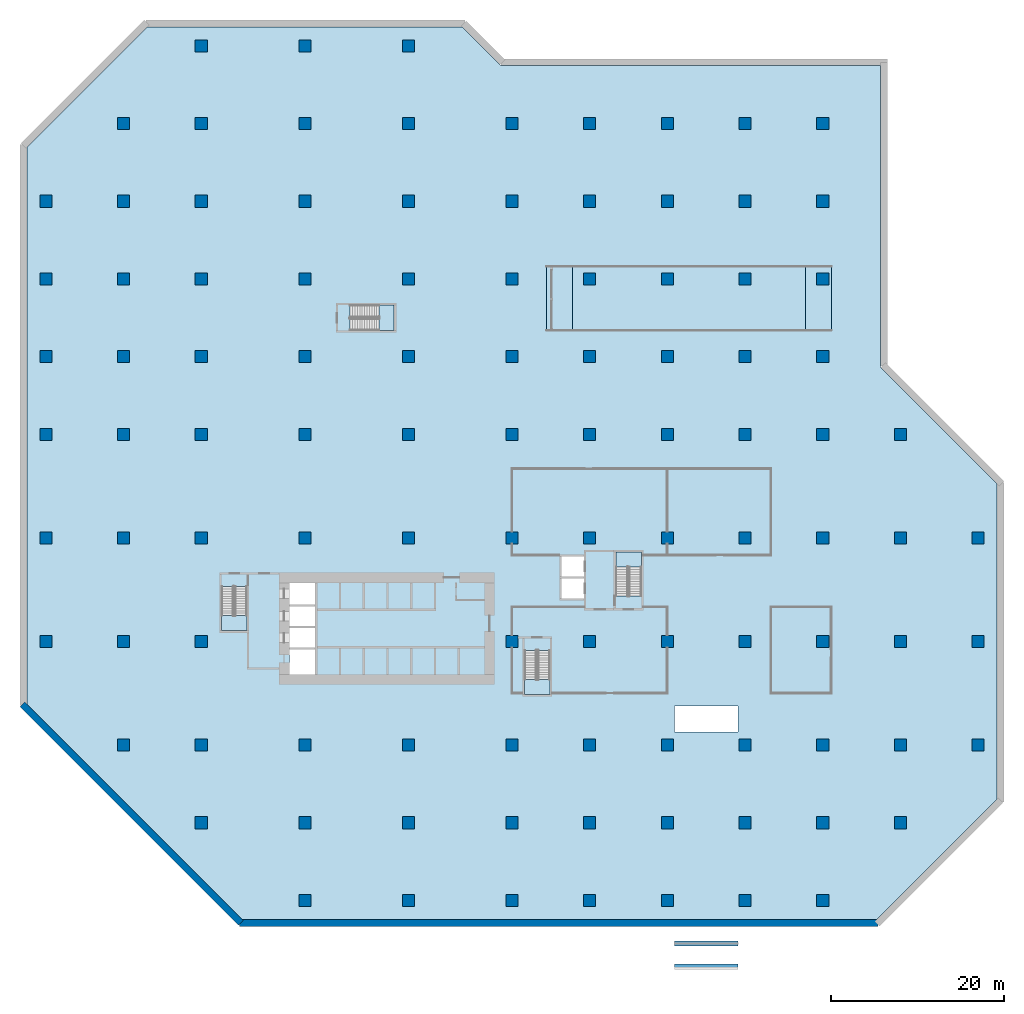
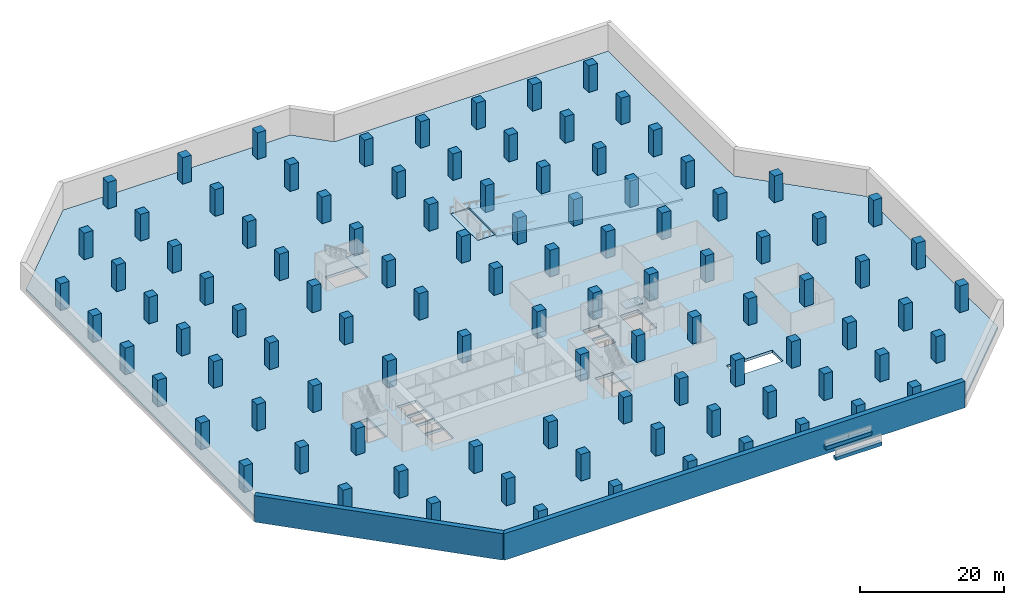
# One storey, part 1 of 9: 102 columns, 8 slabs, 2 footings, 2 walls, 4 elements without a shape of their own.
"""IFC4 building model written with IfcOpenShell, lengths in metres."""

from ifc_helpers import new_model, si_unit, direction, frame, frame_2d, origin, origin_2d, place, context, subcontext, project, spatial, polyline, rectangle, outline, extrude, material, layer, layer_set, material_profile, profile_set, type_object, element, aggregate, save


model = new_model("IFC4")

# Units and contexts
model_context = context("Model", 3, precision=1e-05, world=origin(), true_north=direction((0.0, 1.0)))
body_context = subcontext(model_context, "Body", "Model", "MODEL_VIEW")
ifc_project = project(units=[si_unit("LENGTHUNIT", "METRE"), si_unit("AREAUNIT", "SQUARE_METRE"), si_unit("VOLUMEUNIT", "CUBIC_METRE"), si_unit("PLANEANGLEUNIT", "RADIAN"), si_unit("MASSUNIT", "GRAM", prefix="KILO")], contexts=[model_context])

# Site, building, storey
site_placement = place(None, origin())
site = spatial("IfcSite", under=ifc_project, at=site_placement, CompositionType="ELEMENT")
building_placement = place(site_placement, origin())
building = spatial("IfcBuilding", under=site, at=building_placement, Name="Chenar Terraces", CompositionType="ELEMENT")
storey_placement = place(building_placement, frame((0.0, 0.0, -4.5)))
storey = spatial("IfcBuildingStorey", under=building, at=storey_placement, Name="B1", CompositionType="ELEMENT", Elevation=-4.5)

# Footings
ifc_material_1 = material(Name="Concrete C40/50 sulfate-resisting", Category="concrete")
ifc_layer_1 = layer(ifc_material_1, 0.60009765625)
ifc_layer_set_1 = layer_set([ifc_layer_1], Name="Concrete C40/50 sulfate-resisting")
footing_type = type_object("IfcFootingType", Name="Ramp strip footing 600 x 600", PredefinedType="STRIP_FOOTING", material=ifc_layer_set_1)
footing_1_placement = place(storey_placement, frame((0.0, 0.0, 2.300048828125)))
element("IfcFooting", 1, at=footing_1_placement, inside=storey, type_object=footing_type, Name="Ramp strip footing", PredefinedType="STRIP_FOOTING", context=body_context, shape_type="SweptSolid", body=[
    extrude(outline(polyline([(54.800048828125, -25.989990234375), (62.199951171875, -25.989990234375), (62.199951171875, -25.389892578125), (54.800048828125, -25.389892578125), (54.800048828125, -25.989990234375)])), origin(), (0.0, 0.0, 1.0), 0.599853515625),
])
footing_2_placement = place(storey_placement, frame((0.0, 0.0, 2.449951171875)))
element("IfcFooting", 2, at=footing_2_placement, inside=storey, type_object=footing_type, Name="Ramp strip footing", PredefinedType="STRIP_FOOTING", context=body_context, shape_type="SweptSolid", body=[
    extrude(outline(polyline([(54.800048828125, -23.2900390625), (62.199951171875, -23.2900390625), (62.199951171875, -22.68994140625), (54.800048828125, -22.68994140625), (54.800048828125, -23.2900390625)])), origin(), (0.0, 0.0, 1.0), 0.60009765625),
])

# Columns
ifc_material_2 = material(Name="Concrete C60/75", Category="concrete")
ifc_material_profile = material_profile(ifc_material_2, rectangle(XDim=1.39990234375, YDim=1.39990234375, at=origin_2d()), Name="C 1400 x 1400")
ifc_profile_set = profile_set([ifc_material_profile], Name="Concrete C60/75")
column_type = type_object("IfcColumnType", Name="Column C 1400 x 1400 Concrete C60/75", PredefinedType="COLUMN", material=ifc_profile_set)
for number, where, z_axis, x_axis, name in (
    (3, (-18.0, 12.0, 0.0), (0.0, 0.0, 1.0), (1.0, 0.0, 0.0), "Column 3/F B1"),
    (4, (-18.0, 24.0, 0.0), (0.0, 0.0, 1.0), (1.0, 0.0, 0.0), "Column 3/G B1"),
    (5, (-18.0, 36.0, 0.0), (0.0, 0.0, 1.0), (1.0, 0.0, 0.0), "Column 3/H B1"),
    (6, (-18.0, 45.0, 0.0), (0.0, 0.0, 1.0), (1.0, 0.0, 0.0), "Column 3/J B1"),
    (7, (-18.0, 54.0, 0.0), (0.0, 0.0, 1.0), (1.0, 0.0, 0.0), "Column 3/K B1"),
    (8, (-18.0, 63.0, 0.0), (0.0, 0.0, 1.0), (1.0, 0.0, 0.0), "Column 3/L B1"),
    (9, (-9.0, 0.0, 0.0), (0.0, 0.0, 1.0), (1.0, 0.0, 0.0), "Column 4/E B1"),
    (10, (-9.0, 12.0, 0.0), (0.0, 0.0, 1.0), (1.0, 0.0, 0.0), "Column 4/F B1"),
    (11, (-9.0, 24.0, 0.0), (0.0, 0.0, 1.0), (1.0, 0.0, 0.0), "Column 4/G B1"),
    (12, (-9.0, 36.0, 0.0), (0.0, 0.0, 1.0), (1.0, 0.0, 0.0), "Column 4/H B1"),
    (13, (-9.0, 45.0, 0.0), (0.0, 0.0, 1.0), (1.0, 0.0, 0.0), "Column 4/J B1"),
    (14, (-9.0, 54.0, 0.0), (0.0, 0.0, 1.0), (1.0, 0.0, 0.0), "Column 4/K B1"),
    (15, (-9.0, 63.0, 0.0), (0.0, 0.0, 1.0), (1.0, 0.0, 0.0), "Column 4/L B1"),
    (16, (-9.0, 72.0, 0.0), (0.0, 0.0, 1.0), (1.0, 0.0, 0.0), "Column 4/M B1"),
    (17, (0.0, -9.0, 0.0), (0.0, 0.0, 1.0), (1.0, 0.0, 0.0), "Column 5/D B1"),
    (18, (0.0, 0.0, 0.0), (0.0, 0.0, 1.0), (1.0, 0.0, 0.0), "Column 5/E B1"),
    (19, (0.0, 12.0, 0.0), (0.0, 0.0, 1.0), (1.0, 0.0, 0.0), "Column 5/F B1"),
    (20, (0.0, 24.0, 0.0), (0.0, 0.0, 1.0), (1.0, 0.0, 0.0), "Column 5/G B1"),
    (21, (0.0, 36.0, 0.0), (0.0, 0.0, 1.0), (1.0, 0.0, 0.0), "Column 5/H B1"),
    (22, (0.0, 45.0, 0.0), (0.0, 0.0, 1.0), (1.0, 0.0, 0.0), "Column 5/J B1"),
    (23, (0.0, 54.0, 0.0), (0.0, 0.0, 1.0), (1.0, 0.0, 0.0), "Column 5/K B1"),
    (24, (0.0, 63.0, 0.0), (0.0, 0.0, 1.0), (1.0, 0.0, 0.0), "Column 5/L B1"),
    (25, (0.0, 72.0, 0.0), (0.0, 0.0, 1.0), (1.0, 0.0, 0.0), "Column 5/M B1"),
    (26, (0.0, 81.0, 0.0), (0.0, 0.0, 1.0), (1.0, 0.0, 0.0), "Column 5/N B1"),
    (27, (12.0, -18.0, 0.0), (0.0, 0.0, 1.0), (1.0, 0.0, 0.0), "Column 6/C B1"),
    (28, (12.0, -9.0, 0.0), (0.0, 0.0, 1.0), (1.0, 0.0, 0.0), "Column 6/D B1"),
    (29, (12.0, 0.0, 0.0), (0.0, 0.0, 1.0), (1.0, 0.0, 0.0), "Column 6/E B1"),
    (30, (12.0, 24.0, 0.0), (0.0, 0.0, 1.0), (1.0, 0.0, 0.0), "Column 6/G B1"),
    (31, (12.0, 36.0, 0.0), (0.0, 0.0, 1.0), (1.0, 0.0, 0.0), "Column 6/H B1"),
    (32, (12.0, 45.0, 0.0), (0.0, 0.0, 1.0), (1.0, 0.0, 0.0), "Column 6/J B1"),
    (33, (12.0, 54.0, 0.0), (0.0, 0.0, 1.0), (1.0, 0.0, 0.0), "Column 6/K B1"),
    (34, (12.0, 63.0, 0.0), (0.0, 0.0, 1.0), (1.0, 0.0, 0.0), "Column 6/L B1"),
    (35, (12.0, 72.0, 0.0), (0.0, 0.0, 1.0), (1.0, 0.0, 0.0), "Column 6/M B1"),
    (36, (12.0, 81.0, 0.0), (0.0, 0.0, 1.0), (1.0, 0.0, 0.0), "Column 6/N B1"),
    (37, (24.0, -18.0, 0.0), (0.0, 0.0, 1.0), (1.0, 0.0, 0.0), "Column 7/C B1"),
    (38, (24.0, -9.0, 0.0), (0.0, 0.0, 1.0), (1.0, 0.0, 0.0), "Column 7/D B1"),
    (39, (24.0, 0.0, 0.0), (0.0, 0.0, 1.0), (1.0, 0.0, 0.0), "Column 7/E B1"),
    (40, (24.0, 24.0, 0.0), (0.0, 0.0, 1.0), (1.0, 0.0, 0.0), "Column 7/G B1"),
    (41, (24.0, 36.0, 0.0), (0.0, 0.0, 1.0), (1.0, 0.0, 0.0), "Column 7/H B1"),
    (42, (24.0, 45.0, 0.0), (0.0, 0.0, 1.0), (1.0, 0.0, 0.0), "Column 7/J B1"),
    (43, (24.0, 54.0, 0.0), (0.0, 0.0, 1.0), (1.0, 0.0, 0.0), "Column 7/K B1"),
    (44, (24.0, 63.0, 0.0), (0.0, 0.0, 1.0), (1.0, 0.0, 0.0), "Column 7/L B1"),
    (45, (24.0, 72.0, 0.0), (0.0, 0.0, 1.0), (1.0, 0.0, 0.0), "Column 7/M B1"),
    (46, (24.0, 81.0, 0.0), (0.0, 0.0, 1.0), (1.0, 0.0, 0.0), "Column 7/N B1"),
    (47, (36.0, -18.0, 0.0), (0.0, 0.0, 1.0), (1.0, 0.0, 0.0), "Column 8/C B1"),
    (48, (36.0, -9.0, 0.0), (0.0, 0.0, 1.0), (1.0, 0.0, 0.0), "Column 8/D B1"),
    (49, (36.0, 0.0, 0.0), (0.0, 0.0, 1.0), (1.0, 0.0, 0.0), "Column 8/E B1"),
    (50, (36.0, 12.0, 0.0), (0.0, 0.0, 1.0), (1.0, 0.0, 0.0), "Column 8/F B1"),
    (51, (36.0, 24.0, 0.0), (0.0, 0.0, 1.0), (1.0, 0.0, 0.0), "Column 8/G B1"),
    (52, (36.0, 36.0, 0.0), (0.0, 0.0, 1.0), (1.0, 0.0, 0.0), "Column 8/H B1"),
    (53, (36.0, 45.0, 0.0), (0.0, 0.0, 1.0), (1.0, 0.0, 0.0), "Column 8/J B1"),
    (54, (36.0, 54.0, 0.0), (0.0, 0.0, 1.0), (1.0, 0.0, 0.0), "Column 8/K B1"),
    (55, (36.0, 63.0, 0.0), (0.0, 0.0, 1.0), (1.0, 0.0, 0.0), "Column 8/L B1"),
    (56, (36.0, 72.0, 0.0), (0.0, 0.0, 1.0), (1.0, 0.0, 0.0), "Column 8/M B1"),
    (57, (45.0, -18.0, 0.0), (0.0, 0.0, 1.0), (1.0, 0.0, 0.0), "Column 9/C B1"),
    (58, (45.0, -9.0, 0.0), (0.0, 0.0, 1.0), (1.0, 0.0, 0.0), "Column 9/D B1"),
    (59, (45.0, 0.0, 0.0), (0.0, 0.0, 1.0), (1.0, 0.0, 0.0), "Column 9/E B1"),
    (60, (45.0, 12.0, 0.0), (0.0, 0.0, 1.0), (1.0, 0.0, 0.0), "Column 9/F B1"),
    (61, (45.0, 24.0, 0.0), (0.0, 0.0, 1.0), (1.0, 0.0, 0.0), "Column 9/G B1"),
    (62, (45.0, 36.0, 0.0), (0.0, 0.0, 1.0), (1.0, 0.0, 0.0), "Column 9/H B1"),
    (63, (45.0, 45.0, 0.0), (0.0, 0.0, 1.0), (1.0, 0.0, 0.0), "Column 9/J B1"),
    (64, (45.0, 54.0, 0.0), (0.0, 0.0, 1.0), (1.0, 0.0, 0.0), "Column 9/K B1"),
    (65, (45.0, 63.0, 0.0), (0.0, 0.0, 1.0), (1.0, 0.0, 0.0), "Column 9/L B1"),
    (66, (45.0, 72.0, 0.0), (0.0, 0.0, 1.0), (1.0, 0.0, 0.0), "Column 9/M B1"),
    (67, (54.0, -18.0, 0.0), (0.0, 0.0, 1.0), (1.0, 0.0, 0.0), "Column 10/C B1"),
    (68, (54.0, -9.0, 0.0), (0.0, 0.0, 1.0), (1.0, 0.0, 0.0), "Column 10/D B1"),
    (69, (54.0, 0.0, 0.0), (0.0, 0.0, 1.0), (1.0, 0.0, 0.0), "Column 10/E B1"),
    (70, (54.0, 12.0, 0.0), (0.0, 0.0, 1.0), (1.0, 0.0, 0.0), "Column 10/F B1"),
    (71, (54.0, 24.0, 0.0), (0.0, 0.0, 1.0), (1.0, 0.0, 0.0), "Column 10/G B1"),
    (72, (54.0, 36.0, 0.0), (0.0, 0.0, 1.0), (1.0, 0.0, 0.0), "Column 10/H B1"),
    (73, (54.0, 45.0, 0.0), (0.0, 0.0, 1.0), (1.0, 0.0, 0.0), "Column 10/J B1"),
    (74, (54.0, 54.0, 0.0), (0.0, 0.0, 1.0), (1.0, 0.0, 0.0), "Column 10/K B1"),
    (75, (54.0, 63.0, 0.0), (0.0, 0.0, 1.0), (1.0, 0.0, 0.0), "Column 10/L B1"),
    (76, (54.0, 72.0, 0.0), (0.0, 0.0, 1.0), (1.0, 0.0, 0.0), "Column 10/M B1"),
    (77, (63.0, -18.0, 0.0), (0.0, 0.0, 1.0), (1.0, 0.0, 0.0), "Column 11/C B1"),
    (78, (63.0, -9.0, 0.0), (0.0, 0.0, 1.0), (1.0, 0.0, 0.0), "Column 11/D B1"),
    (79, (63.0, 0.0, 0.0), (0.0, 0.0, 1.0), (1.0, 0.0, 0.0), "Column 11/E B1"),
    (80, (63.0, 12.0, 0.0), (0.0, 0.0, 1.0), (1.0, 0.0, 0.0), "Column 11/F B1"),
    (81, (63.0, 24.0, 0.0), (0.0, 0.0, 1.0), (1.0, 0.0, 0.0), "Column 11/G B1"),
    (82, (63.0, 36.0, 0.0), (0.0, 0.0, 1.0), (1.0, 0.0, 0.0), "Column 11/H B1"),
    (83, (63.0, 45.0, 0.0), (0.0, 0.0, 1.0), (1.0, 0.0, 0.0), "Column 11/J B1"),
    (84, (63.0, 54.0, 0.0), (0.0, 0.0, 1.0), (1.0, 0.0, 0.0), "Column 11/K B1"),
    (85, (63.0, 63.0, 0.0), (0.0, 0.0, 1.0), (1.0, 0.0, 0.0), "Column 11/L B1"),
    (86, (63.0, 72.0, 0.0), (0.0, 0.0, 1.0), (1.0, 0.0, 0.0), "Column 11/M B1"),
    (87, (72.0, -18.0, 0.0), (0.0, 0.0, 1.0), (1.0, 0.0, 0.0), "Column 12/C B1"),
    (88, (72.0, -9.0, 0.0), (0.0, 0.0, 1.0), (1.0, 0.0, 0.0), "Column 12/D B1"),
    (89, (72.0, 0.0, 0.0), (0.0, 0.0, 1.0), (1.0, 0.0, 0.0), "Column 12/E B1"),
    (90, (72.0, 12.0, 0.0), (0.0, 0.0, 1.0), (1.0, 0.0, 0.0), "Column 12/F B1"),
    (91, (72.0, 24.0, 0.0), (0.0, 0.0, 1.0), (1.0, 0.0, 0.0), "Column 12/G B1"),
    (92, (72.0, 36.0, 0.0), (0.0, 0.0, 1.0), (1.0, 0.0, 0.0), "Column 12/H B1"),
    (93, (72.0, 45.0, 0.0), (0.0, 0.0, 1.0), (1.0, 0.0, 0.0), "Column 12/J B1"),
    (94, (72.0, 54.0, 0.0), (0.0, 0.0, 1.0), (1.0, 0.0, 0.0), "Column 12/K B1"),
    (95, (72.0, 63.0, 0.0), (0.0, 0.0, 1.0), (1.0, 0.0, 0.0), "Column 12/L B1"),
    (96, (72.0, 72.0, 0.0), (0.0, 0.0, 1.0), (1.0, 0.0, 0.0), "Column 12/M B1"),
    (97, (81.0, -9.0, 0.0), (0.0, 0.0, 1.0), (1.0, 0.0, 0.0), "Column 13/D B1"),
    (98, (81.0, 0.0, 0.0), (0.0, 0.0, 1.0), (1.0, 0.0, 0.0), "Column 13/E B1"),
    (99, (81.0, 12.0, 0.0), (0.0, 0.0, 1.0), (1.0, 0.0, 0.0), "Column 13/F B1"),
    (100, (81.0, 24.0, 0.0), (0.0, 0.0, 1.0), (1.0, 0.0, 0.0), "Column 13/G B1"),
    (101, (81.0, 36.0, 0.0), (0.0, 0.0, 1.0), (1.0, 0.0, 0.0), "Column 13/H B1"),
    (102, (90.0, 0.0, 0.0), (0.0, 0.0, 1.0), (1.0, 0.0, 0.0), "Column 14/E B1"),
    (103, (90.0, 12.0, 0.0), (0.0, 0.0, 1.0), (1.0, 0.0, 0.0), "Column 14/F B1"),
    (104, (90.0, 24.0, 0.0), (0.0, 0.0, 1.0), (1.0, 0.0, 0.0), "Column 14/G B1"),
):
    element("IfcColumn", number, at=place(storey_placement, frame(where, z_axis=z_axis, x_axis=x_axis)), inside=storey, type_object=column_type, Name=name, PredefinedType="COLUMN", context=body_context, shape_type="SweptSolid", body=[
        extrude(rectangle(XDim=1.39990234375, YDim=1.39990234375, at=origin_2d()), origin(), (0.0, 0.0, 1.0), 4.5),
    ])

# Slabs
ifc_material_3 = material(Name="Reinforced concrete C40/50", Category="concrete")
ifc_layer_2 = layer(ifc_material_3, 0.300048828125)
ifc_layer_set_2 = layer_set([ifc_layer_2], Name="Reinforced concrete C40/50")
slab_type_1 = type_object("IfcSlabType", Name="Car ramp slab 7500 x 300", PredefinedType="USERDEFINED", material=ifc_layer_set_2)
slab_1_placement = place(storey_placement, frame((40.0, 48.0, 0.0), z_axis=(0.083045479854, 0.0, 0.996545758245), x_axis=(0.996545758245, 0.0, -0.083045479854)))
element("IfcSlab", 105, at=slab_1_placement, inside=storey, type_object=slab_type_1, Name="R2 vehicle ramp slab 1 (top)", ObjectType="Vehicle ramp slab", PredefinedType="USERDEFINED", context=body_context, shape_type="SweptSolid", body=[
    extrude(outline(polyline([(0.0, 0.0), (3.010398644698074, 0.0), (3.010398644698074, 7.5), (0.0, 7.5), (0.0, 0.0)])), origin(), (0.083045479854, 0.0, -0.996545758245), 0.301025390625),
])
slab_2_placement = place(storey_placement, frame((43.0, 48.0, -0.25), z_axis=(0.146548661089, 0.0, 0.989203462354), x_axis=(0.989203462354, 0.0, -0.146548661089)))
element("IfcSlab", 106, at=slab_2_placement, inside=storey, type_object=slab_type_1, Name="R2 vehicle ramp slab 2 (main)", ObjectType="Vehicle ramp slab", PredefinedType="USERDEFINED", context=body_context, shape_type="SweptSolid", body=[
    extrude(outline(polyline([(0.0, 0.0), (27.294688127912362, 0.0), (27.294688127912362, 7.5), (0.0, 7.5), (0.0, 0.0)])), origin(), (0.146548661089, 0.0, -0.989203462354), 0.30322265625),
])
slab_3_placement = place(storey_placement, frame((70.0, 48.0, -4.25), z_axis=(0.083045479854, 0.0, 0.996545758245), x_axis=(0.996545758245, 0.0, -0.083045479854)))
element("IfcSlab", 107, at=slab_3_placement, inside=storey, type_object=slab_type_1, Name="R2 vehicle ramp slab 3 (bottom)", ObjectType="Vehicle ramp slab", PredefinedType="USERDEFINED", context=body_context, shape_type="SweptSolid", body=[
    extrude(outline(polyline([(0.0, 0.0), (3.010398644698074, 0.0), (3.010398644698074, 7.5), (0.0, 7.5), (0.0, 0.0)])), origin(), (0.083045479854, 0.0, -0.996545758245), 0.301025390625),
])

# Stair, slab
ifc_material_4 = material(Name="Reinforced concrete C40/50", Category="concrete")
stair_type = type_object("IfcStairType", Name="Core stair 1400 half-turn", PredefinedType="HALF_TURN_STAIR", material=ifc_material_4)
placement_1 = place(storey_placement, origin())
stair_1 = element("IfcStair", 108, at=placement_1, inside=storey, type_object=stair_type, Name="B1 Stair 1", PredefinedType="HALF_TURN_STAIR")
ifc_material_5 = material(Name="Reinforced concrete C40/50", Category="concrete")
ifc_layer_3 = layer(ifc_material_5, 0.199951171875)
ifc_layer_set_3 = layer_set([ifc_layer_3], Name="Reinforced concrete C40/50")
slab_type_2 = type_object("IfcSlabType", Name="Core stair landing 200", PredefinedType="LANDING", material=ifc_layer_set_3)
placement_2 = place(storey_placement, frame((0.0, 0.0, 2.050048828125)))
slab_4 = element("IfcSlab", 109, at=placement_2, type_object=slab_type_2, Name="ST1 landing 1", PredefinedType="LANDING", context=body_context, shape_type="SweptSolid", body=[
    extrude(outline(polyline([(2.35009765625, 14.989990234375), (2.35009765625, 13.25), (5.300048828125, 13.25), (5.300048828125, 14.989990234375), (2.35009765625, 14.989990234375)])), origin(), (0.0, 0.0, 1.0), 0.199951171875),
])
aggregate(stair_1, [slab_4])

stair_2 = element("IfcStair", 110, at=placement_1, inside=storey, type_object=stair_type, Name="B1 Stair 2", PredefinedType="HALF_TURN_STAIR")
slab_5 = element("IfcSlab", 111, at=placement_2, type_object=slab_type_2, Name="ST2 landing 1", PredefinedType="LANDING", context=body_context, shape_type="SweptSolid", body=[
    extrude(outline(polyline([(37.449951171875, 7.590087890625), (37.449951171875, 5.85009765625), (40.39990234375, 5.85009765625), (40.39990234375, 7.590087890625), (37.449951171875, 7.590087890625)])), origin(), (0.0, 0.0, 1.0), 0.199951171875),
])
aggregate(stair_2, [slab_5])

stair_3 = element("IfcStair", 112, at=placement_1, inside=storey, type_object=stair_type, Name="B1 Stair 3", PredefinedType="HALF_TURN_STAIR")
slab_6 = element("IfcSlab", 113, at=placement_2, type_object=slab_type_2, Name="ST3 landing 1", PredefinedType="LANDING", context=body_context, shape_type="SweptSolid", body=[
    extrude(outline(polyline([(50.97509765625, 20.610107421875), (50.97509765625, 22.35009765625), (48.02490234375, 22.35009765625), (48.02490234375, 20.610107421875), (50.97509765625, 20.610107421875)])), origin(), (0.0, 0.0, 1.0), 0.199951171875),
])
aggregate(stair_3, [slab_6])

stair_4 = element("IfcStair", 114, at=placement_1, inside=storey, type_object=stair_type, Name="B1 Stair 4", PredefinedType="HALF_TURN_STAIR")
slab_7 = element("IfcSlab", 115, at=placement_2, type_object=slab_type_2, Name="ST4 landing 1", PredefinedType="LANDING", context=body_context, shape_type="SweptSolid", body=[
    extrude(outline(polyline([(20.610107421875, 48.02490234375), (22.35009765625, 48.02490234375), (22.35009765625, 50.97509765625), (20.610107421875, 50.97509765625), (20.610107421875, 48.02490234375)])), origin(), (0.0, 0.0, 1.0), 0.199951171875),
])
aggregate(stair_4, [slab_7])

# Slab
ifc_material_6 = material(Name="Concrete C40/50", Category="concrete")
ifc_layer_4 = layer(ifc_material_6, 0.449951171875)
ifc_layer_set_4 = layer_set([ifc_layer_4], Name="Concrete C40/50")
slab_type_3 = type_object("IfcSlabType", Name="Floor slab 450 Concrete C40/50", PredefinedType="FLOOR", material=ifc_layer_set_4)
slab_8_placement = place(storey_placement, frame((0.0, 0.0, -0.449951171875)))
element("IfcSlab", 116, at=slab_8_placement, inside=storey, type_object=slab_type_3, Name="Floor slab B1", PredefinedType="FLOOR", context=body_context, shape_type="SweptSolid", body=[
    extrude(outline(polyline([(78.699951171875, 78.699951171875), (78.699951171875, 43.745849609375), (92.199951171875, 30.245849609375), (92.199951171875, -6.245849609375), (78.245849609375, -20.199951171875), (4.754150390625, -20.199951171875), (-20.199951171875, 4.754150390625), (-20.199951171875, 69.245849609375), (-6.245849609375, 83.199951171875), (30.245849609375, 83.199951171875), (34.745849609375, 78.699951171875), (78.699951171875, 78.699951171875)]), holes=[polyline([(10.199951171875, 11.050048828125), (10.199951171875, 8.199951171875), (13.199951171875, 8.199951171875), (13.199951171875, 11.050048828125), (10.199951171875, 11.050048828125)]), polyline([(13.199951171875, 13.550048828125), (10.199951171875, 13.550048828125), (10.199951171875, 11.300048828125), (13.199951171875, 11.300048828125), (13.199951171875, 13.550048828125)]), polyline([(13.199951171875, 16.050048828125), (10.199951171875, 16.050048828125), (10.199951171875, 13.800048828125), (13.199951171875, 13.800048828125), (13.199951171875, 16.050048828125)]), polyline([(5.300048828125, 13.25), (5.300048828125, 18.35009765625), (2.35009765625, 18.35009765625), (2.35009765625, 13.25), (5.300048828125, 13.25)]), polyline([(13.199951171875, 18.800048828125), (10.199951171875, 18.800048828125), (10.199951171875, 16.300048828125), (13.199951171875, 16.300048828125), (13.199951171875, 18.800048828125)]), polyline([(22.35009765625, 48.02490234375), (22.35009765625, 50.97509765625), (17.25, 50.97509765625), (17.25, 48.02490234375), (22.35009765625, 48.02490234375)]), polyline([(54.800048828125, 4.5), (54.800048828125, 1.5), (62.199951171875, 1.5), (62.199951171875, 4.5), (54.800048828125, 4.5)]), polyline([(37.449951171875, 5.85009765625), (40.39990234375, 5.85009765625), (40.39990234375, 10.949951171875), (37.449951171875, 10.949951171875), (37.449951171875, 5.85009765625)]), polyline([(44.35009765625, 19.300048828125), (41.75, 19.300048828125), (41.75, 17.0), (44.35009765625, 17.0), (44.35009765625, 19.300048828125)]), polyline([(48.02490234375, 22.35009765625), (48.02490234375, 17.25), (50.97509765625, 17.25), (50.97509765625, 22.35009765625), (48.02490234375, 22.35009765625)]), polyline([(44.35009765625, 21.85009765625), (41.75, 21.85009765625), (41.75, 19.550048828125), (44.35009765625, 19.550048828125), (44.35009765625, 21.85009765625)]), polyline([(43.0, 55.5), (40.0, 55.5), (40.0, 48.0), (43.0, 48.0), (43.0, 55.5)])]), origin(), (0.0, 0.0, 1.0), 0.449951171875),
])

# Walls
ifc_material_7 = material(Name="Concrete C40/50", Category="concrete")
ifc_layer_5 = layer(ifc_material_7, 0.800048828125)
ifc_layer_set_5 = layer_set([ifc_layer_5], Name="Concrete C40/50")
wall_type = type_object("IfcWallType", Name="Diaphragm wall 800 Concrete C40/50", PredefinedType="SOLIDWALL", material=ifc_layer_set_5)
wall_1_placement = place(storey_placement, frame((-20.71728515625, 4.705810546875, 0.0), z_axis=(0.0, 0.0, 1.0), x_axis=(0.707103370229, -0.707110192127, 0.0)))
element("IfcWall", 117, at=wall_1_placement, inside=storey, type_object=wall_type, Name="Diaphragm wall B1 5", PredefinedType="SOLIDWALL", context=body_context, shape_type="SweptSolid", body=[
    extrude(rectangle(XDim=35.787841796875, YDim=0.800048828125, at=frame_2d((17.89404296875, 0.0))), origin(), (0.0, 0.0, 1.0), 4.5),
])
wall_2_placement = place(storey_placement, frame((4.4228515625, -20.60009765625, 0.0), z_axis=(0.0, 0.0, 1.0), x_axis=(1.0, 0.0, 0.0)))
element("IfcWall", 118, at=wall_2_placement, inside=storey, type_object=wall_type, Name="Diaphragm wall B1 6", PredefinedType="SOLIDWALL", context=body_context, shape_type="SweptSolid", body=[
    extrude(rectangle(XDim=73.98876953125, YDim=0.800048828125, at=frame_2d((36.994384765625, 0.0))), origin(), (0.0, 0.0, 1.0), 4.5),
])

save(model, "model.ifc")
